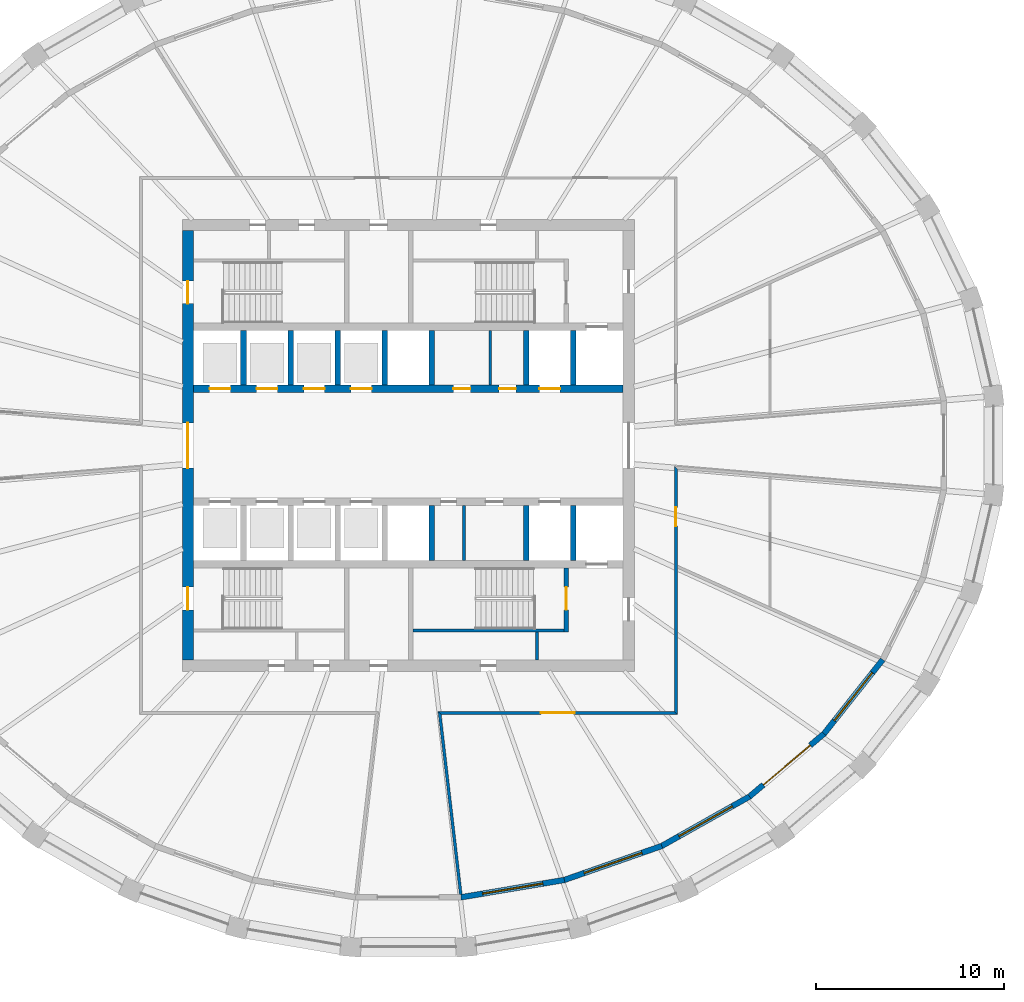
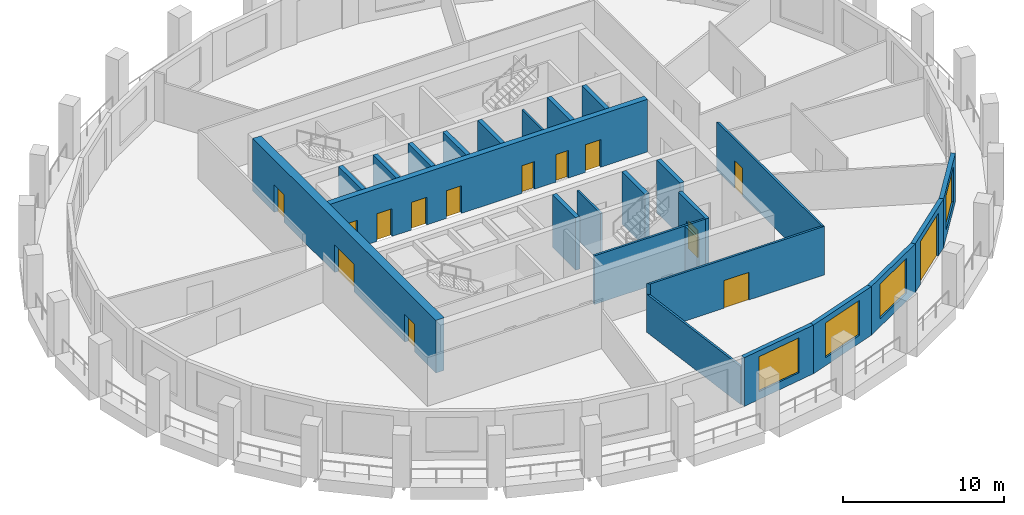
# One storey, part 4 of 10: 25 walls, 14 doors, 4 windows, 18 openings.
"""IFC4 building model written with IfcOpenShell, lengths in metres."""

from ifc_helpers import new_model, si_unit, direction, frame, frame_2d, origin, place, context, subcontext, project, spatial, polyline, rectangle, outline, extrude, material, layer, layer_set, type_object, element, fill, save


model = new_model("IFC4")

# Units and contexts
model_context = context("Model", 3, precision=1e-05, world=origin(), true_north=direction((0.0, 1.0)))
body_context = subcontext(model_context, "Body", "Model", "MODEL_VIEW")
ifc_project = project(units=[si_unit("LENGTHUNIT", "METRE"), si_unit("AREAUNIT", "SQUARE_METRE"), si_unit("VOLUMEUNIT", "CUBIC_METRE"), si_unit("PLANEANGLEUNIT", "RADIAN"), si_unit("MASSUNIT", "GRAM", prefix="KILO")], contexts=[model_context])

# Site, building, storey
site_placement = place(None, origin())
site = spatial("IfcSite", under=ifc_project, at=site_placement, CompositionType="ELEMENT")
building_placement = place(site_placement, origin())
building = spatial("IfcBuilding", under=site, at=building_placement, Name="Halqa Exchange Tower", CompositionType="ELEMENT")
storey_placement = place(building_placement, frame((0.0, 0.0, 242.89990234375)))
storey = spatial("IfcBuildingStorey", under=building, at=storey_placement, Name="L56", CompositionType="ELEMENT", Elevation=242.89990234375)

# Wall
ifc_material_1 = material(Name="Fire-rated gypsum board")
ifc_layer_1 = layer(ifc_material_1, 0.14990234375)
ifc_layer_set_1 = layer_set([ifc_layer_1], Name="Fire-rated gypsum board")
wall_type_1 = type_object("IfcWallType", Name="Fire partition EI 60 150", PredefinedType="PARTITIONING", material=ifc_layer_set_1)
wall_1_placement = place(storey_placement, frame((1.650146484375, -14.1162109375, 0.0), z_axis=(0.0, 0.0, 1.0), x_axis=(0.115927481877, -0.993257680034, 0.0)))
element("IfcWall", 1, at=wall_1_placement, inside=storey, type_object=wall_type_1, Name="L56-PWL-009", PredefinedType="PARTITIONING", context=body_context, shape_type="SweptSolid", body=[
    extrude(outline(polyline([(0.0, -0.074951171875), (1.95556640625, -0.074951171875), (3.9111328125, -0.074951171875), (5.86669921875, -0.074951171875), (7.822021484375, -0.074951171875), (9.777587890625, -0.074951171875), (9.7822265625, -0.035400390625), (9.7822265625, 0.074951171875), (7.859375, 0.074951171875), (5.936767578125, 0.074951171875), (4.013916015625, 0.074951171875), (2.09130859375, 0.074951171875), (0.16845703125, 0.074951171875), (0.08447265625, 0.0), (0.0, -0.074951171875)])), origin(), (0.0, 0.0, 1.0), 2.897216796875),
])

# Wall, opening, door
wall_2_placement = place(storey_placement, frame((14.27490234375, -14.199951171875, 0.0), z_axis=(0.0, 0.0, 1.0), x_axis=(-1.0, 0.0, 0.0)))
wall_2 = element("IfcWall", 2, at=wall_2_placement, inside=storey, type_object=wall_type_1, Name="L56-PWL-012", PredefinedType="PARTITIONING", context=body_context, shape_type="SweptSolid", body=[
    extrude(outline(polyline([(0.14990234375, -0.074951171875), (1.942626953125, -0.074951171875), (3.7353515625, -0.074951171875), (5.528076171875, -0.074951171875), (7.32080078125, -0.074951171875), (9.11376953125, -0.074951171875), (10.906494140625, -0.074951171875), (12.69921875, -0.074951171875), (12.53076171875, 0.074951171875), (10.74072265625, 0.074951171875), (8.950439453125, 0.074951171875), (7.160400390625, 0.074951171875), (5.370361328125, 0.074951171875), (3.580322265625, 0.074951171875), (1.7900390625, 0.074951171875), (0.0, 0.074951171875), (0.14990234375, -0.074951171875)])), origin(), (0.0, 0.0, 1.0), 3.7001953125),
])
opening_1_placement = place(wall_2_placement, frame((5.445068359375, 0.0, 0.0)))
opening_1 = element("IfcOpeningElement", 3, at=opening_1_placement, cuts=wall_2, Name="Opening 17-02", PredefinedType="OPENING", context=body_context, shape_type="SweptSolid", body=[
    extrude(rectangle(XDim=1.800048828125, YDim=2.10009765625, at=frame_2d((0.89990234375, 1.050048828125))), frame((0.0, 0.0869140625, 0.0), z_axis=(0.0, -1.0, 0.0), x_axis=(1.0, 0.0, 0.0)), (0.0, 0.0, 1.0), 0.173828125),
])
ifc_material_2 = material(Name="Steel fire door leaf", Category="steel")
door_type_1 = type_object("IfcDoorType", Name="Fire door FD30S double 1800 x 2100", OperationType="DOUBLE_DOOR_SINGLE_SWING", PredefinedType="DOOR", material=ifc_material_2)
door_1_placement = place(opening_1_placement, origin())
door_1 = element("IfcDoor", 4, at=door_1_placement, inside=storey, type_object=door_type_1, Name="L56-IDR-002", OperationType="DOUBLE_DOOR_SINGLE_SWING", OverallHeight=2.10009765625, OverallWidth=1.800048828125, PredefinedType="DOOR", context=body_context, shape_type="SweptSolid", body=[
    extrude(rectangle(XDim=1.800048828125, YDim=2.10009765625, at=frame_2d((0.89990234375, 1.050048828125))), frame((0.0, 0.02490234375, 0.0), z_axis=(0.0, -1.0, 0.0), x_axis=(1.0, 0.0, 0.0)), (0.0, 0.0, 1.0), 0.050048828125),
])
fill(opening_1, door_1)

wall_3_placement = place(storey_placement, frame((14.199951171875, -14.27490234375, 0.0), z_axis=(0.0, 0.0, 1.0), x_axis=(0.0, 1.0, 0.0)))
wall_3 = element("IfcWall", 5, at=wall_3_placement, inside=storey, type_object=wall_type_1, Name="L56-PWL-013", PredefinedType="PARTITIONING", context=body_context, shape_type="SweptSolid", body=[
    extrude(outline(polyline([(0.0, -0.074951171875), (1.859130859375, -0.074951171875), (3.71826171875, -0.074951171875), (5.5771484375, -0.074951171875), (7.436279296875, -0.074951171875), (9.29541015625, -0.074951171875), (11.154541015625, -0.074951171875), (13.013427734375, -0.074951171875), (13.17626953125, 0.074951171875), (11.3154296875, 0.074951171875), (9.45458984375, 0.074951171875), (7.593505859375, 0.074951171875), (5.732666015625, 0.074951171875), (3.871826171875, 0.074951171875), (2.0107421875, 0.074951171875), (0.14990234375, 0.074951171875), (0.0, -0.074951171875)])), origin(), (0.0, 0.0, 1.0), 3.7001953125),
])
opening_2_placement = place(wall_3_placement, frame((9.985107421875, 0.0, 0.0)))
opening_2 = element("IfcOpeningElement", 6, at=opening_2_placement, cuts=wall_3, Name="Opening 17-03", PredefinedType="OPENING", context=body_context, shape_type="SweptSolid", body=[
    extrude(rectangle(XDim=1.0, YDim=2.10009765625, at=frame_2d((0.5, 1.050048828125))), frame((0.0, 0.0869140625, 0.0), z_axis=(0.0, -1.0, 0.0), x_axis=(1.0, 0.0, 0.0)), (0.0, 0.0, 1.0), 0.173828125),
])
door_type_2 = type_object("IfcDoorType", Name="Fire door FD30S 1000 x 2100", OperationType="SINGLE_SWING_LEFT", PredefinedType="DOOR", material=ifc_material_2)
door_2_placement = place(opening_2_placement, frame((1.0, 0.0, 0.0), z_axis=(0.0, 0.0, 1.0), x_axis=(-1.0, 0.0, 0.0)))
door_2 = element("IfcDoor", 7, at=door_2_placement, inside=storey, type_object=door_type_2, Name="L56-IDR-003", OperationType="SINGLE_SWING_RIGHT", OverallHeight=2.10009765625, OverallWidth=1.0, PredefinedType="DOOR", context=body_context, shape_type="SweptSolid", body=[
    extrude(rectangle(XDim=1.0, YDim=2.10009765625, at=frame_2d((0.5, 1.050048828125))), frame((0.0, 0.02490234375, 0.0), z_axis=(0.0, -1.0, 0.0), x_axis=(1.0, 0.0, 0.0)), (0.0, 0.0, 1.0), 0.050048828125),
])
fill(opening_2, door_2)

# Walls
ifc_material_3 = material(Name="Gypsum board")
ifc_layer_2 = layer(ifc_material_3, 0.14990234375)
ifc_layer_set_2 = layer_set([ifc_layer_2], Name="Gypsum board")
wall_type_2 = type_object("IfcWallType", Name="Penthouse riser wall 150 gypsum", PredefinedType="PARTITIONING", material=ifc_layer_set_2)
wall_4_placement = place(storey_placement, frame((6.824951171875, -11.39990234375, 0.0), z_axis=(0.0, 0.0, 1.0), x_axis=(0.0, 1.0, 0.0)))
element("IfcWall", 8, at=wall_4_placement, inside=storey, type_object=wall_type_2, Name="Firefighting lobby west wall S", PredefinedType="PARTITIONING", context=body_context, shape_type="SweptSolid", body=[
    extrude(rectangle(XDim=1.5, YDim=0.14990234375, at=frame_2d((0.75, 0.0))), origin(), (0.0, 0.0, 1.0), 3.7001953125),
])
for number, where, z_axis, x_axis, name in (
    (9, (4.35009765625, 3.199951171875, 0.0), (0.0, 0.0, 1.0), (0.0, 1.0, 0.0), "Freed bay partition NE4.350"),
    (10, (2.949951171875, -6.10009765625, 0.0), (0.0, 0.0, 1.0), (0.0, 1.0, 0.0), "Freed bay partition SE2.950"),
):
    element("IfcWall", number, at=place(storey_placement, frame(where, z_axis=z_axis, x_axis=x_axis)), inside=storey, type_object=wall_type_2, Name=name, PredefinedType="PARTITIONING", context=body_context, shape_type="SweptSolid", body=[
        extrude(rectangle(XDim=2.900146484375, YDim=0.14990234375, at=frame_2d((1.4501953125, 0.0))), origin(), (0.0, 0.0, 1.0), 3.7001953125),
    ])
ifc_material_4 = material(Name="Concrete C60/75", Category="concrete")
ifc_layer_3 = layer(ifc_material_4, 0.300048828125)
ifc_layer_set_3 = layer_set([ifc_layer_3], Name="Concrete C60/75")
wall_type_3 = type_object("IfcWallType", Name="RC core wall 300", PredefinedType="SHEAR", material=ifc_layer_set_3)
for number, where, z_axis, x_axis, name in (
    (11, (-8.75, 3.199951171875, 0.0), (0.0, 0.0, 1.0), (0.0, 1.0, 0.0), "Shaft divider N1"),
    (12, (-6.25, 3.199951171875, 0.0), (0.0, 0.0, 1.0), (0.0, 1.0, 0.0), "Shaft divider N2"),
    (13, (-3.75, 3.199951171875, 0.0), (0.0, 0.0, 1.0), (0.0, 1.0, 0.0), "Shaft divider N3"),
    (14, (-1.25, 3.199951171875, 0.0), (0.0, 0.0, 1.0), (0.0, 1.0, 0.0), "Shaft divider N4"),
    (15, (1.25, 3.199951171875, 0.0), (0.0, 0.0, 1.0), (0.0, 1.0, 0.0), "Shaft divider N5"),
    (16, (6.25, 3.199951171875, 0.0), (0.0, 0.0, 1.0), (0.0, 1.0, 0.0), "Shaft divider N7"),
    (17, (8.75, 3.199951171875, 0.0), (0.0, 0.0, 1.0), (0.0, 1.0, 0.0), "Shaft divider N8"),
    (18, (1.25, -6.10009765625, 0.0), (0.0, 0.0, 1.0), (0.0, 1.0, 0.0), "Shaft divider S5"),
    (19, (6.25, -6.10009765625, 0.0), (0.0, 0.0, 1.0), (0.0, 1.0, 0.0), "Shaft divider S7"),
    (20, (8.75, -6.10009765625, 0.0), (0.0, 0.0, 1.0), (0.0, 1.0, 0.0), "Shaft divider S8"),
):
    element("IfcWall", number, at=place(storey_placement, frame(where, z_axis=z_axis, x_axis=x_axis)), inside=storey, type_object=wall_type_3, Name=name, PredefinedType="SHEAR", context=body_context, shape_type="SweptSolid", body=[
        extrude(rectangle(XDim=2.900146484375, YDim=0.300048828125, at=frame_2d((1.4501953125, 0.0))), origin(), (0.0, 0.0, 1.0), 4.0),
    ])

# Wall, openings, doors
ifc_material_5 = material(Name="Concrete C70/85", Category="concrete")
ifc_layer_4 = layer(ifc_material_5, 0.39990234375)
ifc_layer_set_4 = layer_set([ifc_layer_4], Name="Concrete C70/85")
wall_type_4 = type_object("IfcWallType", Name="RC core wall 400 C70/85", PredefinedType="SHEAR", material=ifc_layer_set_4)
wall_5_placement = place(storey_placement, frame((-11.39990234375, 3.0, 0.0), z_axis=(0.0, 0.0, 1.0), x_axis=(1.0, 0.0, 0.0)))
wall_5 = element("IfcWall", 21, at=wall_5_placement, inside=storey, type_object=wall_type_4, Name="Lift row front wall N", PredefinedType="SHEAR", context=body_context, shape_type="SweptSolid", body=[
    extrude(rectangle(XDim=22.7998046875, YDim=0.39990234375, at=frame_2d((11.39990234375, 0.0))), origin(), (0.0, 0.0, 1.0), 4.0),
])
opening_3_placement = place(wall_5_placement, frame((0.85009765625, 0.0, 0.0)))
opening_3 = element("IfcOpeningElement", 22, at=opening_3_placement, cuts=wall_5, Name="Opening LD-HR1-T17", PredefinedType="OPENING", context=body_context, shape_type="SweptSolid", body=[
    extrude(rectangle(XDim=1.10009765625, YDim=2.10009765625, at=frame_2d((0.550048828125, 1.050048828125))), frame((0.0, 0.2119140625, 0.0), z_axis=(0.0, -1.0, 0.0), x_axis=(1.0, 0.0, 0.0)), (0.0, 0.0, 1.0), 0.423828125),
])
opening_4_placement = place(wall_5_placement, frame((3.35009765625, 0.0, 0.0)))
opening_4 = element("IfcOpeningElement", 23, at=opening_4_placement, cuts=wall_5, Name="Opening LD-HR2-T17", PredefinedType="OPENING", context=body_context, shape_type="SweptSolid", body=[
    extrude(rectangle(XDim=1.10009765625, YDim=2.10009765625, at=frame_2d((0.550048828125, 1.050048828125))), frame((0.0, 0.2119140625, 0.0), z_axis=(0.0, -1.0, 0.0), x_axis=(1.0, 0.0, 0.0)), (0.0, 0.0, 1.0), 0.423828125),
])
opening_5_placement = place(wall_5_placement, frame((5.85009765625, 0.0, 0.0)))
opening_5 = element("IfcOpeningElement", 24, at=opening_5_placement, cuts=wall_5, Name="Opening LD-MR1-T17", PredefinedType="OPENING", context=body_context, shape_type="SweptSolid", body=[
    extrude(rectangle(XDim=1.10009765625, YDim=2.10009765625, at=frame_2d((0.550048828125, 1.050048828125))), frame((0.0, 0.2119140625, 0.0), z_axis=(0.0, -1.0, 0.0), x_axis=(1.0, 0.0, 0.0)), (0.0, 0.0, 1.0), 0.423828125),
])
opening_6_placement = place(wall_5_placement, frame((8.35009765625, 0.0, 0.0)))
opening_6 = element("IfcOpeningElement", 25, at=opening_6_placement, cuts=wall_5, Name="Opening LD-MR2-T17", PredefinedType="OPENING", context=body_context, shape_type="SweptSolid", body=[
    extrude(rectangle(XDim=1.10009765625, YDim=2.10009765625, at=frame_2d((0.550048828125, 1.050048828125))), frame((0.0, 0.2119140625, 0.0), z_axis=(0.0, -1.0, 0.0), x_axis=(1.0, 0.0, 0.0)), (0.0, 0.0, 1.0), 0.423828125),
])
opening_7_placement = place(wall_5_placement, frame((18.35009765625, 0.0, 0.0)))
opening_7 = element("IfcOpeningElement", 26, at=opening_7_placement, cuts=wall_5, Name="Opening LD-SV1-T17", PredefinedType="OPENING", context=body_context, shape_type="SweptSolid", body=[
    extrude(rectangle(XDim=1.10009765625, YDim=2.10009765625, at=frame_2d((0.550048828125, 1.050048828125))), frame((0.0, 0.2119140625, 0.0), z_axis=(0.0, -1.0, 0.0), x_axis=(1.0, 0.0, 0.0)), (0.0, 0.0, 1.0), 0.423828125),
])
opening_8_placement = place(wall_5_placement, frame((13.78759765625, 0.0, 0.0)))
opening_8 = element("IfcOpeningElement", 27, at=opening_8_placement, cuts=wall_5, Name="Opening T17-C29", PredefinedType="OPENING", context=body_context, shape_type="SweptSolid", body=[
    extrude(rectangle(XDim=0.89990234375, YDim=2.10009765625, at=frame_2d((0.449951171875, 1.050048828125))), frame((0.0, 0.2119140625, 0.0), z_axis=(0.0, -1.0, 0.0), x_axis=(1.0, 0.0, 0.0)), (0.0, 0.0, 1.0), 0.423828125),
])
opening_9_placement = place(wall_5_placement, frame((16.21240234375, 0.0, 0.0)))
opening_9 = element("IfcOpeningElement", 28, at=opening_9_placement, cuts=wall_5, Name="Opening T17-C30", PredefinedType="OPENING", context=body_context, shape_type="SweptSolid", body=[
    extrude(rectangle(XDim=0.89990234375, YDim=2.10009765625, at=frame_2d((0.449951171875, 1.050048828125))), frame((0.0, 0.2119140625, 0.0), z_axis=(0.0, -1.0, 0.0), x_axis=(1.0, 0.0, 0.0)), (0.0, 0.0, 1.0), 0.423828125),
])
ifc_material_6 = material(Name="Timber fire door leaf", Category="wood")
door_type_3 = type_object("IfcDoorType", Name="Core room door FD30 900 x 2100", OperationType="SINGLE_SWING_LEFT", PredefinedType="DOOR", material=ifc_material_6)
door_3_placement = place(opening_8_placement, origin())
door_3 = element("IfcDoor", 29, at=door_3_placement, inside=storey, type_object=door_type_3, Name="Core room door", OperationType="SINGLE_SWING_LEFT", OverallHeight=2.10009765625, OverallWidth=0.89990234375, PredefinedType="DOOR", context=body_context, shape_type="SweptSolid", body=[
    extrude(rectangle(XDim=0.89990234375, YDim=2.10009765625, at=frame_2d((0.449951171875, 1.050048828125))), frame((0.0, 0.02490234375, 0.0), z_axis=(0.0, -1.0, 0.0), x_axis=(1.0, 0.0, 0.0)), (0.0, 0.0, 1.0), 0.050048828125),
])
fill(opening_8, door_3)
door_4_placement = place(opening_9_placement, origin())
door_4 = element("IfcDoor", 30, at=door_4_placement, inside=storey, type_object=door_type_3, Name="Core room door", OperationType="SINGLE_SWING_RIGHT", OverallHeight=2.10009765625, OverallWidth=0.89990234375, PredefinedType="DOOR", context=body_context, shape_type="SweptSolid", body=[
    extrude(rectangle(XDim=0.89990234375, YDim=2.10009765625, at=frame_2d((0.449951171875, 1.050048828125))), frame((0.0, 0.02490234375, 0.0), z_axis=(0.0, -1.0, 0.0), x_axis=(1.0, 0.0, 0.0)), (0.0, 0.0, 1.0), 0.050048828125),
])
fill(opening_9, door_4)
ifc_material_7 = material(Name="Stainless steel", Category="steel")
door_type_4 = type_object("IfcDoorType", Name="Lift landing door 1100 x 2100", OperationType="SLIDING_TO_LEFT", PredefinedType="DOOR", material=ifc_material_7)
door_5_placement = place(opening_3_placement, origin())
door_5 = element("IfcDoor", 31, at=door_5_placement, inside=storey, type_object=door_type_4, Name="Lift landing door HR1", OperationType="SLIDING_TO_LEFT", OverallHeight=2.10009765625, OverallWidth=1.10009765625, PredefinedType="DOOR", context=body_context, shape_type="SweptSolid", body=[
    extrude(rectangle(XDim=1.10009765625, YDim=2.10009765625, at=frame_2d((0.550048828125, 1.050048828125))), frame((0.0, 0.02490234375, 0.0), z_axis=(0.0, -1.0, 0.0), x_axis=(1.0, 0.0, 0.0)), (0.0, 0.0, 1.0), 0.050048828125),
])
fill(opening_3, door_5)
door_6_placement = place(opening_4_placement, origin())
door_6 = element("IfcDoor", 32, at=door_6_placement, inside=storey, type_object=door_type_4, Name="Lift landing door HR2", OperationType="SLIDING_TO_LEFT", OverallHeight=2.10009765625, OverallWidth=1.10009765625, PredefinedType="DOOR", context=body_context, shape_type="SweptSolid", body=[
    extrude(rectangle(XDim=1.10009765625, YDim=2.10009765625, at=frame_2d((0.550048828125, 1.050048828125))), frame((0.0, 0.02490234375, 0.0), z_axis=(0.0, -1.0, 0.0), x_axis=(1.0, 0.0, 0.0)), (0.0, 0.0, 1.0), 0.050048828125),
])
fill(opening_4, door_6)
door_7_placement = place(opening_5_placement, origin())
door_7 = element("IfcDoor", 33, at=door_7_placement, inside=storey, type_object=door_type_4, Name="Lift landing door MR1", OperationType="SLIDING_TO_LEFT", OverallHeight=2.10009765625, OverallWidth=1.10009765625, PredefinedType="DOOR", context=body_context, shape_type="SweptSolid", body=[
    extrude(rectangle(XDim=1.10009765625, YDim=2.10009765625, at=frame_2d((0.550048828125, 1.050048828125))), frame((0.0, 0.02490234375, 0.0), z_axis=(0.0, -1.0, 0.0), x_axis=(1.0, 0.0, 0.0)), (0.0, 0.0, 1.0), 0.050048828125),
])
fill(opening_5, door_7)
door_8_placement = place(opening_6_placement, origin())
door_8 = element("IfcDoor", 34, at=door_8_placement, inside=storey, type_object=door_type_4, Name="Lift landing door MR2", OperationType="SLIDING_TO_LEFT", OverallHeight=2.10009765625, OverallWidth=1.10009765625, PredefinedType="DOOR", context=body_context, shape_type="SweptSolid", body=[
    extrude(rectangle(XDim=1.10009765625, YDim=2.10009765625, at=frame_2d((0.550048828125, 1.050048828125))), frame((0.0, 0.02490234375, 0.0), z_axis=(0.0, -1.0, 0.0), x_axis=(1.0, 0.0, 0.0)), (0.0, 0.0, 1.0), 0.050048828125),
])
fill(opening_6, door_8)
door_9_placement = place(opening_7_placement, origin())
door_9 = element("IfcDoor", 35, at=door_9_placement, inside=storey, type_object=door_type_4, Name="Lift landing door SV1", OperationType="SLIDING_TO_LEFT", OverallHeight=2.10009765625, OverallWidth=1.10009765625, PredefinedType="DOOR", context=body_context, shape_type="SweptSolid", body=[
    extrude(rectangle(XDim=1.10009765625, YDim=2.10009765625, at=frame_2d((0.550048828125, 1.050048828125))), frame((0.0, 0.02490234375, 0.0), z_axis=(0.0, -1.0, 0.0), x_axis=(1.0, 0.0, 0.0)), (0.0, 0.0, 1.0), 0.050048828125),
])
fill(opening_7, door_9)

ifc_layer_5 = layer(ifc_material_5, 0.60009765625)
ifc_layer_set_5 = layer_set([ifc_layer_5], Name="Concrete C70/85")
wall_type_5 = type_object("IfcWallType", Name="RC core wall 600 C70/85", PredefinedType="SHEAR", material=ifc_layer_set_5)
wall_6_placement = place(storey_placement, frame((-11.699951171875, -11.39990234375, 0.0), z_axis=(0.0, 0.0, 1.0), x_axis=(0.0, 1.0, 0.0)))
wall_6 = element("IfcWall", 36, at=wall_6_placement, inside=storey, type_object=wall_type_5, Name="Core wall west", PredefinedType="SHEAR", context=body_context, shape_type="SweptSolid", body=[
    extrude(rectangle(XDim=22.7998046875, YDim=0.60009765625, at=frame_2d((11.39990234375, 0.0))), origin(), (0.0, 0.0, 1.0), 4.0),
])
opening_10_placement = place(wall_6_placement, frame((10.199951171875, 0.0, 0.0)))
opening_10 = element("IfcOpeningElement", 37, at=opening_10_placement, cuts=wall_6, Name="Opening T17-C13", PredefinedType="OPENING", context=body_context, shape_type="SweptSolid", body=[
    extrude(rectangle(XDim=2.39990234375, YDim=2.10009765625, at=frame_2d((1.199951171875, 1.050048828125))), frame((0.0, 0.31201171875, 0.0), z_axis=(0.0, -1.0, 0.0), x_axis=(1.0, 0.0, 0.0)), (0.0, 0.0, 1.0), 0.6240234375),
])
opening_11_placement = place(wall_6_placement, frame((18.925048828125, 0.0, 0.0)))
opening_11 = element("IfcOpeningElement", 38, at=opening_11_placement, cuts=wall_6, Name="Opening T17-C15", PredefinedType="OPENING", context=body_context, shape_type="SweptSolid", body=[
    extrude(rectangle(XDim=1.199951171875, YDim=2.10009765625, at=frame_2d((0.60009765625, 1.050048828125))), frame((0.0, 0.31201171875, 0.0), z_axis=(0.0, -1.0, 0.0), x_axis=(1.0, 0.0, 0.0)), (0.0, 0.0, 1.0), 0.6240234375),
])
opening_12_placement = place(wall_6_placement, frame((2.675048828125, 0.0, 0.0)))
opening_12 = element("IfcOpeningElement", 39, at=opening_12_placement, cuts=wall_6, Name="Opening T17-C17", PredefinedType="OPENING", context=body_context, shape_type="SweptSolid", body=[
    extrude(rectangle(XDim=1.199951171875, YDim=2.10009765625, at=frame_2d((0.60009765625, 1.050048828125))), frame((0.0, 0.31201171875, 0.0), z_axis=(0.0, -1.0, 0.0), x_axis=(1.0, 0.0, 0.0)), (0.0, 0.0, 1.0), 0.6240234375),
])
door_type_5 = type_object("IfcDoorType", Name="Lobby double door FD60 2400 x 2100", OperationType="DOUBLE_DOOR_SINGLE_SWING", PredefinedType="DOOR", material=ifc_material_2)
door_10_placement = place(opening_10_placement, frame((2.39990234375, 0.0, 0.0), z_axis=(0.0, 0.0, 1.0), x_axis=(-1.0, 0.0, 0.0)))
door_10 = element("IfcDoor", 40, at=door_10_placement, inside=storey, type_object=door_type_5, Name="Lift lobby double door", OperationType="DOUBLE_DOOR_SINGLE_SWING", OverallHeight=2.10009765625, OverallWidth=2.39990234375, PredefinedType="DOOR", context=body_context, shape_type="SweptSolid", body=[
    extrude(rectangle(XDim=2.39990234375, YDim=2.10009765625, at=frame_2d((1.199951171875, 1.050048828125))), frame((0.0, 0.02490234375, 0.0), z_axis=(0.0, -1.0, 0.0), x_axis=(1.0, 0.0, 0.0)), (0.0, 0.0, 1.0), 0.050048828125),
])
fill(opening_10, door_10)
door_type_6 = type_object("IfcDoorType", Name="Stair door FD90 1200 x 2100", OperationType="SINGLE_SWING_LEFT", PredefinedType="DOOR", material=ifc_material_2)
door_11_placement = place(opening_11_placement, frame((1.199951171875, 0.0, 0.0), z_axis=(0.0, 0.0, 1.0), x_axis=(-1.0, 0.0, 0.0)))
door_11 = element("IfcDoor", 41, at=door_11_placement, inside=storey, type_object=door_type_6, Name="Stair door ST1", OperationType="SINGLE_SWING_RIGHT", OverallHeight=2.10009765625, OverallWidth=1.199951171875, PredefinedType="DOOR", context=body_context, shape_type="SweptSolid", body=[
    extrude(rectangle(XDim=1.199951171875, YDim=2.10009765625, at=frame_2d((0.60009765625, 1.050048828125))), frame((0.0, 0.02490234375, 0.0), z_axis=(0.0, -1.0, 0.0), x_axis=(1.0, 0.0, 0.0)), (0.0, 0.0, 1.0), 0.050048828125),
])
fill(opening_11, door_11)
door_12_placement = place(opening_12_placement, frame((1.199951171875, 0.0, 0.0), z_axis=(0.0, 0.0, 1.0), x_axis=(-1.0, 0.0, 0.0)))
door_12 = element("IfcDoor", 42, at=door_12_placement, inside=storey, type_object=door_type_6, Name="Stair door ST3", OperationType="SINGLE_SWING_RIGHT", OverallHeight=2.10009765625, OverallWidth=1.199951171875, PredefinedType="DOOR", context=body_context, shape_type="SweptSolid", body=[
    extrude(rectangle(XDim=1.199951171875, YDim=2.10009765625, at=frame_2d((0.60009765625, 1.050048828125))), frame((0.0, 0.02490234375, 0.0), z_axis=(0.0, -1.0, 0.0), x_axis=(1.0, 0.0, 0.0)), (0.0, 0.0, 1.0), 0.050048828125),
])
fill(opening_12, door_12)

# Wall
ifc_material_8 = material(Name="Concrete C30/37", Category="concrete")
ifc_layer_6 = layer(ifc_material_8, 0.14990234375)
ifc_layer_set_6 = layer_set([ifc_layer_6], Name="Concrete C30/37")
wall_type_6 = type_object("IfcWallType", Name="RC stair wall 150 C30/37", PredefinedType="SHEAR", material=ifc_layer_set_6)
wall_7_placement = place(storey_placement, frame((0.25, -9.824951171875, 0.0), z_axis=(0.0, 0.0, 1.0), x_axis=(1.0, 0.0, 0.0)))
element("IfcWall", 43, at=wall_7_placement, inside=storey, type_object=wall_type_6, Name="Stair ST2 north wall S", PredefinedType="SHEAR", context=body_context, shape_type="SweptSolid", body=[
    extrude(rectangle(XDim=8.0, YDim=0.14990234375, at=frame_2d((4.0, 0.0))), origin(), (0.0, 0.0, 1.0), 3.7001953125),
])

# Wall, opening, door
ifc_layer_7 = layer(ifc_material_8, 0.25)
ifc_layer_set_7 = layer_set([ifc_layer_7], Name="Concrete C30/37")
wall_type_7 = type_object("IfcWallType", Name="RC stair wall 250 C30/37", PredefinedType="SHEAR", material=ifc_layer_set_7)
wall_8_placement = place(storey_placement, frame((8.375, -9.89990234375, 0.0), z_axis=(0.0, 0.0, 1.0), x_axis=(0.0, 1.0, 0.0)))
wall_8 = element("IfcWall", 44, at=wall_8_placement, inside=storey, type_object=wall_type_7, Name="Stair ST2 east wall S", PredefinedType="SHEAR", context=body_context, shape_type="SweptSolid", body=[
    extrude(rectangle(XDim=3.39990234375, YDim=0.25, at=frame_2d((1.699951171875, 0.0))), origin(), (0.0, 0.0, 1.0), 3.7001953125),
])
opening_13_placement = place(wall_8_placement, frame((1.175048828125, 0.0, 0.0)))
opening_13 = element("IfcOpeningElement", 45, at=opening_13_placement, cuts=wall_8, Name="Opening T17-C18", PredefinedType="OPENING", context=body_context, shape_type="SweptSolid", body=[
    extrude(rectangle(XDim=1.199951171875, YDim=2.10009765625, at=frame_2d((0.60009765625, 1.050048828125))), frame((0.0, 0.136962890625, 0.0), z_axis=(0.0, -1.0, 0.0), x_axis=(1.0, 0.0, 0.0)), (0.0, 0.0, 1.0), 0.27392578125),
])
door_13_placement = place(opening_13_placement, origin())
door_13 = element("IfcDoor", 46, at=door_13_placement, inside=storey, type_object=door_type_6, Name="Stair door ST4", OperationType="SINGLE_SWING_RIGHT", OverallHeight=2.10009765625, OverallWidth=1.199951171875, PredefinedType="DOOR", context=body_context, shape_type="SweptSolid", body=[
    extrude(rectangle(XDim=1.199951171875, YDim=2.10009765625, at=frame_2d((0.60009765625, 1.050048828125))), frame((0.0, 0.02490234375, 0.0), z_axis=(0.0, -1.0, 0.0), x_axis=(1.0, 0.0, 0.0)), (0.0, 0.0, 1.0), 0.050048828125),
])
fill(opening_13, door_13)

# Wall, opening, window
ifc_material_9 = material(Name="Limestone cladding", Category="masonry")
ifc_layer_8 = layer(ifc_material_9, 0.0400390625)
ifc_material_10 = material(Name="Ventilated cavity")
ifc_layer_9 = layer(ifc_material_10, 0.030029296875, ventilated=True)
ifc_material_11 = material(Name="Mineral wool insulation")
ifc_layer_10 = layer(ifc_material_11, 0.10009765625)
ifc_layer_11 = layer(ifc_material_8, 0.10009765625)
ifc_material_12 = material(Name="Internal plaster")
ifc_layer_12 = layer(ifc_material_12, 0.030029296875)
ifc_layer_set_8 = layer_set([ifc_layer_8, ifc_layer_9, ifc_layer_10, ifc_layer_11, ifc_layer_12], Name="Stone-faced insulated wall 300")
wall_type_8 = type_object("IfcWallType", Name="Stone-faced insulated wall 300", PredefinedType="STANDARD", material=ifc_layer_set_8)
wall_9_placement = place(storey_placement, frame((2.797119140625, -23.986572265625, 0.0), z_axis=(0.0, 0.0, 1.0), x_axis=(0.98622977737, 0.16538085206, 0.0)))
wall_9 = element("IfcWall", 47, at=wall_9_placement, inside=storey, type_object=wall_type_8, Name="Glass-line wall 25", PredefinedType="STANDARD", context=body_context, shape_type="SweptSolid", body=[
    extrude(outline(polyline([(-0.012451171875, -0.14990234375), (5.57666015625, -0.14990234375), (5.55126953125, 0.14990234375), (0.012451171875, 0.14990234375), (-0.012451171875, -0.14990234375)])), origin(), (0.0, 0.0, 1.0), 3.7001953125),
])
opening_14_placement = place(wall_9_placement, frame((1.156982421875, 0.0, 0.60009765625)))
opening_14 = element("IfcOpeningElement", 48, at=opening_14_placement, cuts=wall_9, Name="Opening W-F3-25", PredefinedType="OPENING", context=body_context, shape_type="SweptSolid", body=[
    extrude(rectangle(XDim=3.25, YDim=2.64990234375, at=frame_2d((1.625, 1.324951171875))), frame((0.0, 0.162109375, 0.0), z_axis=(0.0, -1.0, 0.0), x_axis=(1.0, 0.0, 0.0)), (0.0, 0.0, 1.0), 0.323974609375),
])
ifc_material_13 = material(Name="Clear low-emissivity glass in aluminium frame", Category="aluminium")
window_type = type_object("IfcWindowType", Name="Fixed clear glazed window 3250 x 2650", PartitioningType="TRIPLE_PANEL_VERTICAL", PredefinedType="WINDOW", material=ifc_material_13)
window_1_placement = place(opening_14_placement, origin())
window_1 = element("IfcWindow", 49, at=window_1_placement, inside=storey, type_object=window_type, Name="Window 3", OverallHeight=2.64990234375, OverallWidth=3.25, PartitioningType="TRIPLE_PANEL_VERTICAL", PredefinedType="WINDOW", context=body_context, shape_type="SweptSolid", body=[
    extrude(rectangle(XDim=3.25, YDim=2.64990234375, at=frame_2d((1.625, 1.324951171875))), frame((0.0, 0.030029296875, 0.0), z_axis=(0.0, -1.0, 0.0), x_axis=(1.0, 0.0, 0.0)), (0.0, 0.0, 1.0), 0.06005859375),
])
fill(opening_14, window_1)

wall_10_placement = place(storey_placement, frame((8.284423828125, -23.06640625, 0.0), z_axis=(0.0, 0.0, 1.0), x_axis=(0.944093730832, 0.329677156326, 0.0)))
wall_10 = element("IfcWall", 50, at=wall_10_placement, inside=storey, type_object=wall_type_8, Name="Glass-line wall 26", PredefinedType="STANDARD", context=body_context, shape_type="SweptSolid", body=[
    extrude(outline(polyline([(-0.0126953125, -0.14990234375), (5.48974609375, -0.14990234375), (5.462890625, 0.14990234375), (0.0126953125, 0.14990234375), (-0.0126953125, -0.14990234375)])), origin(), (0.0, 0.0, 1.0), 3.7001953125),
])
opening_15_placement = place(wall_10_placement, frame((1.113037109375, 0.0, 0.60009765625)))
opening_15 = element("IfcOpeningElement", 51, at=opening_15_placement, cuts=wall_10, Name="Opening W-F3-26", PredefinedType="OPENING", context=body_context, shape_type="SweptSolid", body=[
    extrude(rectangle(XDim=3.25, YDim=2.64990234375, at=frame_2d((1.625, 1.324951171875))), frame((0.0, 0.162109375, 0.0), z_axis=(0.0, -1.0, 0.0), x_axis=(1.0, 0.0, 0.0)), (0.0, 0.0, 1.0), 0.323974609375),
])
window_2_placement = place(opening_15_placement, origin())
window_2 = element("IfcWindow", 52, at=window_2_placement, inside=storey, type_object=window_type, Name="Window 3", OverallHeight=2.64990234375, OverallWidth=3.25, PartitioningType="TRIPLE_PANEL_VERTICAL", PredefinedType="WINDOW", context=body_context, shape_type="SweptSolid", body=[
    extrude(rectangle(XDim=3.25, YDim=2.64990234375, at=frame_2d((1.625, 1.324951171875))), frame((0.0, 0.030029296875, 0.0), z_axis=(0.0, -1.0, 0.0), x_axis=(1.0, 0.0, 0.0)), (0.0, 0.0, 1.0), 0.06005859375),
])
fill(opening_15, window_2)

wall_11_placement = place(storey_placement, frame((13.45458984375, -21.260986328125, 0.0), z_axis=(0.0, 0.0, 1.0), x_axis=(0.871275151053, 0.490794876865, 0.0)))
wall_11 = element("IfcWall", 53, at=wall_11_placement, inside=storey, type_object=wall_type_8, Name="Glass-line wall 27", PredefinedType="STANDARD", context=body_context, shape_type="SweptSolid", body=[
    extrude(outline(polyline([(-0.013427734375, -0.14990234375), (5.356689453125, -0.14990234375), (5.328369140625, 0.14990234375), (0.013427734375, 0.14990234375), (-0.013427734375, -0.14990234375)])), origin(), (0.0, 0.0, 1.0), 3.7001953125),
])
opening_16_placement = place(wall_11_placement, frame((1.046142578125, 0.0, 0.60009765625)))
opening_16 = element("IfcOpeningElement", 54, at=opening_16_placement, cuts=wall_11, Name="Opening W-F3-27", PredefinedType="OPENING", context=body_context, shape_type="SweptSolid", body=[
    extrude(rectangle(XDim=3.25, YDim=2.64990234375, at=frame_2d((1.625, 1.324951171875))), frame((0.0, 0.162109375, 0.0), z_axis=(0.0, -1.0, 0.0), x_axis=(1.0, 0.0, 0.0)), (0.0, 0.0, 1.0), 0.323974609375),
])
window_3_placement = place(opening_16_placement, origin())
window_3 = element("IfcWindow", 55, at=window_3_placement, inside=storey, type_object=window_type, Name="Window 3", OverallHeight=2.64990234375, OverallWidth=3.25, PartitioningType="TRIPLE_PANEL_VERTICAL", PredefinedType="WINDOW", context=body_context, shape_type="SweptSolid", body=[
    extrude(rectangle(XDim=3.25, YDim=2.64990234375, at=frame_2d((1.625, 1.324951171875))), frame((0.0, 0.030029296875, 0.0), z_axis=(0.0, -1.0, 0.0), x_axis=(1.0, 0.0, 0.0)), (0.0, 0.0, 1.0), 0.06005859375),
])
fill(opening_16, window_3)

# Wall, opening, door
wall_12_placement = place(storey_placement, frame((18.109375, -18.638916015625, 0.0), z_axis=(0.0, 0.0, 1.0), x_axis=(0.764530975429, 0.644586989948, 0.0)))
wall_12 = element("IfcWall", 56, at=wall_12_placement, inside=storey, type_object=wall_type_8, Name="Glass-line wall 28", PredefinedType="STANDARD", context=body_context, shape_type="SweptSolid", body=[
    extrude(outline(polyline([(-0.01416015625, -0.14990234375), (5.1953125, -0.14990234375), (5.1650390625, 0.14990234375), (0.01416015625, 0.14990234375), (-0.01416015625, -0.14990234375)])), origin(), (0.0, 0.0, 1.0), 3.7001953125),
])
opening_17_placement = place(wall_12_placement, frame((0.965087890625, 0.0, 0.0)))
opening_17 = element("IfcOpeningElement", 57, at=opening_17_placement, cuts=wall_12, Name="Opening LG-F3-07", PredefinedType="OPENING", context=body_context, shape_type="SweptSolid", body=[
    extrude(rectangle(XDim=3.25, YDim=3.25, at=frame_2d((1.625, 1.625))), frame((0.0, 0.162109375, 0.0), z_axis=(0.0, -1.0, 0.0), x_axis=(1.0, 0.0, 0.0)), (0.0, 0.0, 1.0), 0.323974609375),
])
door_type_7 = type_object("IfcDoorType", Name="Glazed sliding loggia door 3250 x 3250", OperationType="DOUBLE_DOOR_SLIDING", PredefinedType="DOOR", material=ifc_material_13)
door_14_placement = place(opening_17_placement, origin())
door_14 = element("IfcDoor", 58, at=door_14_placement, inside=storey, type_object=door_type_7, Name="Loggia door 7", OperationType="DOUBLE_DOOR_SLIDING", OverallHeight=3.25, OverallWidth=3.25, PredefinedType="DOOR", context=body_context, shape_type="SweptSolid", body=[
    extrude(rectangle(XDim=3.25, YDim=3.25, at=frame_2d((1.625, 1.625))), frame((0.0, 0.02490234375, 0.0), z_axis=(0.0, -1.0, 0.0), x_axis=(1.0, 0.0, 0.0)), (0.0, 0.0, 1.0), 0.050048828125),
])
fill(opening_17, door_14)

# Wall, opening, window
wall_13_placement = place(storey_placement, frame((22.06982421875, -15.2998046875, 0.0), z_axis=(0.0, 0.0, 1.0), x_axis=(0.621130746167, 0.783706958094, 0.0)))
wall_13 = element("IfcWall", 59, at=wall_13_placement, inside=storey, type_object=wall_type_8, Name="Glass-line wall 29", PredefinedType="STANDARD", context=body_context, shape_type="SweptSolid", body=[
    extrude(outline(polyline([(-0.01513671875, -0.14990234375), (5.02880859375, -0.14990234375), (4.99658203125, 0.14990234375), (0.01513671875, 0.14990234375), (-0.01513671875, -0.14990234375)])), origin(), (0.0, 0.0, 1.0), 3.7001953125),
])
opening_18_placement = place(wall_13_placement, frame((0.88134765625, 0.0, 0.60009765625)))
opening_18 = element("IfcOpeningElement", 60, at=opening_18_placement, cuts=wall_13, Name="Opening W-F3-29", PredefinedType="OPENING", context=body_context, shape_type="SweptSolid", body=[
    extrude(rectangle(XDim=3.25, YDim=2.64990234375, at=frame_2d((1.625, 1.324951171875))), frame((0.0, 0.162109375, 0.0), z_axis=(0.0, -1.0, 0.0), x_axis=(1.0, 0.0, 0.0)), (0.0, 0.0, 1.0), 0.323974609375),
])
window_4_placement = place(opening_18_placement, origin())
window_4 = element("IfcWindow", 61, at=window_4_placement, inside=storey, type_object=window_type, Name="Window 3", OverallHeight=2.64990234375, OverallWidth=3.25, PartitioningType="TRIPLE_PANEL_VERTICAL", PredefinedType="WINDOW", context=body_context, shape_type="SweptSolid", body=[
    extrude(rectangle(XDim=3.25, YDim=2.64990234375, at=frame_2d((1.625, 1.324951171875))), frame((0.0, 0.030029296875, 0.0), z_axis=(0.0, -1.0, 0.0), x_axis=(1.0, 0.0, 0.0)), (0.0, 0.0, 1.0), 0.06005859375),
])
fill(opening_18, window_4)

save(model, "model.ifc")
